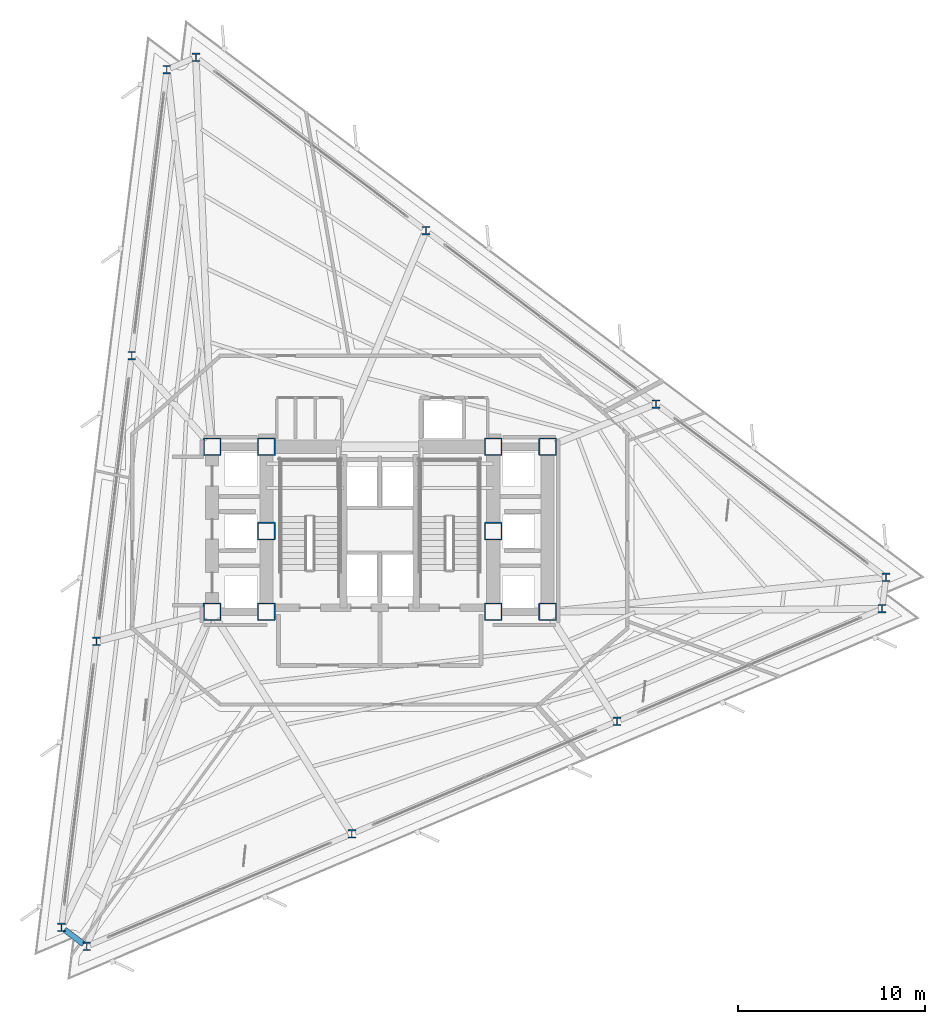
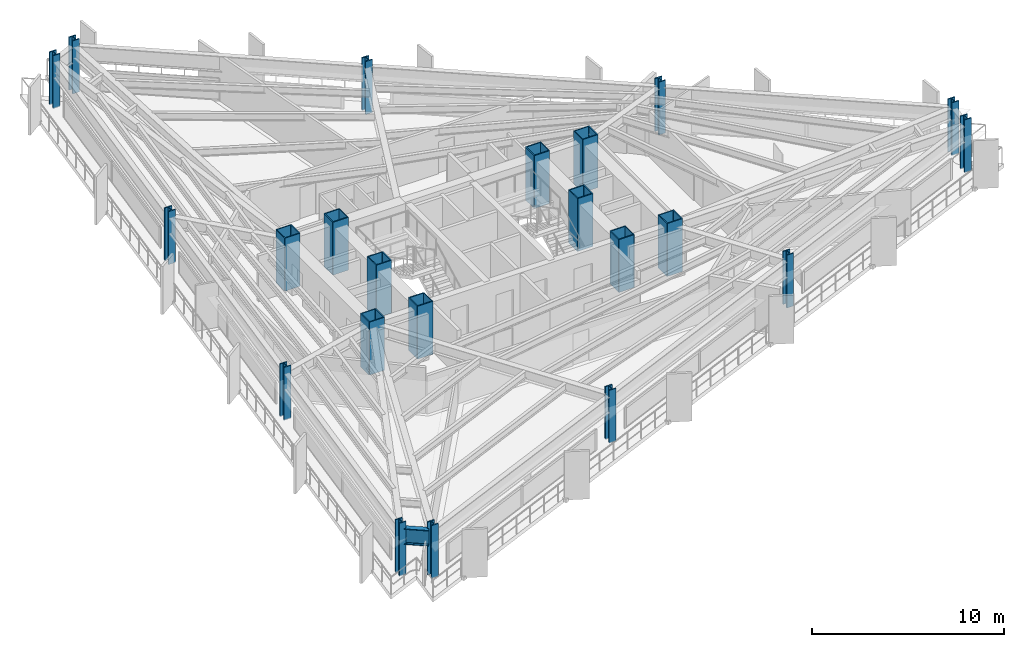
# One storey, part 1 of 13: 22 columns, 1 beam.
"""IFC4 building model written with IfcOpenShell, lengths in metres."""

from ifc_helpers import new_model, si_unit, direction, frame, origin, origin_2d, place, context, subcontext, project, spatial, hollow_rectangle, i_section, extrude, material, material_profile, profile_set, type_object, element, save


model = new_model("IFC4")

# Units and contexts
model_context = context("Model", 3, precision=1e-05, world=origin(), true_north=direction((0.0, 1.0)))
body_context = subcontext(model_context, "Body", "Model", "MODEL_VIEW")
ifc_project = project(units=[si_unit("LENGTHUNIT", "METRE"), si_unit("AREAUNIT", "SQUARE_METRE"), si_unit("VOLUMEUNIT", "CUBIC_METRE"), si_unit("PLANEANGLEUNIT", "RADIAN"), si_unit("MASSUNIT", "GRAM", prefix="KILO")], contexts=[model_context])

# Site, building, storey
site_placement = place(None, origin())
site = spatial("IfcSite", under=ifc_project, at=site_placement, CompositionType="ELEMENT")
building_placement = place(site_placement, origin())
building = spatial("IfcBuilding", under=site, at=building_placement, Name="Rocaltana Carrier Exchange", CompositionType="ELEMENT")
storey_placement = place(building_placement, frame((0.0, 0.0, 73.1201171875)))
storey = spatial("IfcBuildingStorey", under=building, at=storey_placement, Name="L22", CompositionType="ELEMENT", Elevation=73.1201171875)

# Columns
ifc_material_1 = material(Name="Steel S460", Category="steel")
ifc_material_profile_1 = material_profile(ifc_material_1, hollow_rectangle(XDim=0.949951171875, YDim=0.949951171875, WallThickness=0.06005859375, InnerFilletRadius=0.02001953125, OuterFilletRadius=0.0400390625, at=origin_2d()), Name="BOX950X950X60")
ifc_profile_set_1 = profile_set([ifc_material_profile_1], Name="Steel S460")
column_type_1 = type_object("IfcColumnType", Name="Core Mega-Column BOX950", PredefinedType="COLUMN", material=ifc_profile_set_1)
for number, where, z_axis, x_axis, name in (
    (1, (-6.050048828125, 4.5, 0.0), (0.0, 0.0, 1.0), (1.0, 0.0, 0.0), "L22 Core Mega-Column MC1"),
    (2, (6.050048828125, 4.5, 0.0), (0.0, 0.0, 1.0), (1.0, 0.0, 0.0), "L22 Core Mega-Column MC2"),
    (3, (-6.050048828125, 0.0, 0.0), (0.0, 0.0, 1.0), (1.0, 0.0, 0.0), "L22 Core Mega-Column MC3"),
    (4, (6.050048828125, 0.0, 0.0), (0.0, 0.0, 1.0), (1.0, 0.0, 0.0), "L22 Core Mega-Column MC4"),
    (5, (-6.050048828125, -4.300048828125, 0.0), (0.0, 0.0, 1.0), (1.0, 0.0, 0.0), "L22 Core Mega-Column MC5"),
    (6, (6.050048828125, -4.300048828125, 0.0), (0.0, 0.0, 1.0), (1.0, 0.0, 0.0), "L22 Core Mega-Column MC6"),
    (7, (-8.949951171875, 4.5, 0.0), (0.0, 0.0, 1.0), (1.0, 0.0, 0.0), "L22 West Core Column WC1"),
    (8, (-8.949951171875, -4.300048828125, 0.0), (0.0, 0.0, 1.0), (1.0, 0.0, 0.0), "L22 West Core Column WC2"),
    (9, (8.949951171875, 4.5, 0.0), (0.0, 0.0, 1.0), (1.0, 0.0, 0.0), "L22 East Core Column EC1"),
    (10, (8.949951171875, -4.300048828125, 0.0), (0.0, 0.0, 1.0), (1.0, 0.0, 0.0), "L22 East Core Column EC2"),
):
    element("IfcColumn", number, at=place(storey_placement, frame(where, z_axis=z_axis, x_axis=x_axis)), inside=storey, type_object=column_type_1, Name=name, PredefinedType="COLUMN", context=body_context, shape_type="SweptSolid", body=[
        extrude(hollow_rectangle(XDim=0.949951171875, YDim=0.949951171875, WallThickness=0.06005859375, InnerFilletRadius=0.02001953125, OuterFilletRadius=0.0400390625, at=origin_2d()), origin(), (0.0, 0.0, 1.0), 3.35986328125),
    ])
ifc_material_2 = material(Name="Steel S460", Category="steel")
ifc_material_profile_2 = material_profile(ifc_material_2, i_section(OverallWidth=0.41796875, OverallDepth=0.455078125, WebThickness=0.0419921875, FlangeThickness=0.067626953125, FilletRadius=0.02490234375, at=origin_2d()), Name="W14X370")
ifc_profile_set_2 = profile_set([ifc_material_profile_2], Name="Steel S460")
column_type_2 = type_object("IfcColumnType", Name="Perimeter Column W14X370", PredefinedType="COLUMN", material=ifc_profile_set_2)
for number, where, z_axis, x_axis, name in (
    (11, (27.0029296875, -2.466796875, 0.0), (0.0, 0.0, 1.0), (1.0, 0.0, 0.0), "L22 Perimeter Column TC01"),
    (12, (14.73046875, 6.781005859375, 0.0), (0.0, 0.0, 1.0), (1.0, 0.0, 0.0), "L22 Perimeter Column TC02"),
    (13, (2.458251953125, 16.029052734375, 0.0), (0.0, 0.0, 1.0), (1.0, 0.0, 0.0), "L22 Perimeter Column TC03"),
    (14, (-9.814208984375, 25.27685546875, 0.0), (0.0, 0.0, 1.0), (1.0, 0.0, 0.0), "L22 Perimeter Column TC04"),
    (15, (-11.365234375, 24.61865234375, 0.0), (0.0, 0.0, 1.0), (1.0, 0.0, 0.0), "L22 Perimeter Column TC05"),
    (16, (-13.23779296875, 9.366455078125, 0.0), (0.0, 0.0, 1.0), (1.0, 0.0, 0.0), "L22 Perimeter Column TC06"),
    (17, (-15.110595703125, -5.8857421875, 0.0), (0.0, 0.0, 1.0), (1.0, 0.0, 0.0), "L22 Perimeter Column TC07"),
    (18, (-16.9833984375, -21.1376953125, 0.0), (0.0, 0.0, 1.0), (1.0, 0.0, 0.0), "L22 Perimeter Column TC08"),
    (19, (-15.6376953125, -22.15185546875, 0.0), (0.0, 0.0, 1.0), (1.0, 0.0, 0.0), "L22 Perimeter Column TC09"),
    (20, (-1.49267578125, -16.147705078125, 0.0), (0.0, 0.0, 1.0), (1.0, 0.0, 0.0), "L22 Perimeter Column TC10"),
    (21, (12.652587890625, -10.143310546875, 0.0), (0.0, 0.0, 1.0), (1.0, 0.0, 0.0), "L22 Perimeter Column TC11"),
    (22, (26.797607421875, -4.13916015625, 0.0), (0.0, 0.0, 1.0), (1.0, 0.0, 0.0), "L22 Perimeter Column TC12"),
):
    element("IfcColumn", number, at=place(storey_placement, frame(where, z_axis=z_axis, x_axis=x_axis)), inside=storey, type_object=column_type_2, Name=name, PredefinedType="COLUMN", context=body_context, shape_type="SweptSolid", body=[
        extrude(i_section(OverallWidth=0.41796875, OverallDepth=0.455078125, WebThickness=0.0419921875, FlangeThickness=0.067626953125, FilletRadius=0.02490234375, at=origin_2d()), origin(), (0.0, 0.0, 1.0), 3.35986328125),
    ])

# Beam
ifc_material_3 = material(Name="Steel S460", Category="steel")
ifc_material_profile_3 = material_profile(ifc_material_3, i_section(OverallWidth=0.302001953125, OverallDepth=1.008056640625, WebThickness=0.02099609375, FlangeThickness=0.0400390625, FilletRadius=0.030029296875, at=origin_2d()), Name="HEM1000")
ifc_profile_set_3 = profile_set([ifc_material_profile_3], Name="Steel S460")
beam_type = type_object("IfcBeamType", Name="Transfer Ring Girder HEM1000", PredefinedType="USERDEFINED", material=ifc_profile_set_3)
beam_placement = place(storey_placement, frame((-16.822998046875, -21.2587890625, 2.433837890625), z_axis=(0.798765342934, -0.601642690414, 0.0), x_axis=(0.601642690414, 0.798765342934, 0.0)))
element("IfcBeam", 23, at=beam_placement, inside=storey, type_object=beam_type, Name="SP-L22-08", ObjectType="TRANSFER GIRDER", PredefinedType="USERDEFINED", context=body_context, shape_type="SweptSolid", body=[
    extrude(i_section(OverallWidth=0.302001953125, OverallDepth=1.008056640625, WebThickness=0.02099609375, FlangeThickness=0.0400390625, FilletRadius=0.030029296875, at=origin_2d()), origin(), (0.0, 0.0, 1.0), 1.283203125),
])

save(model, "model.ifc")
